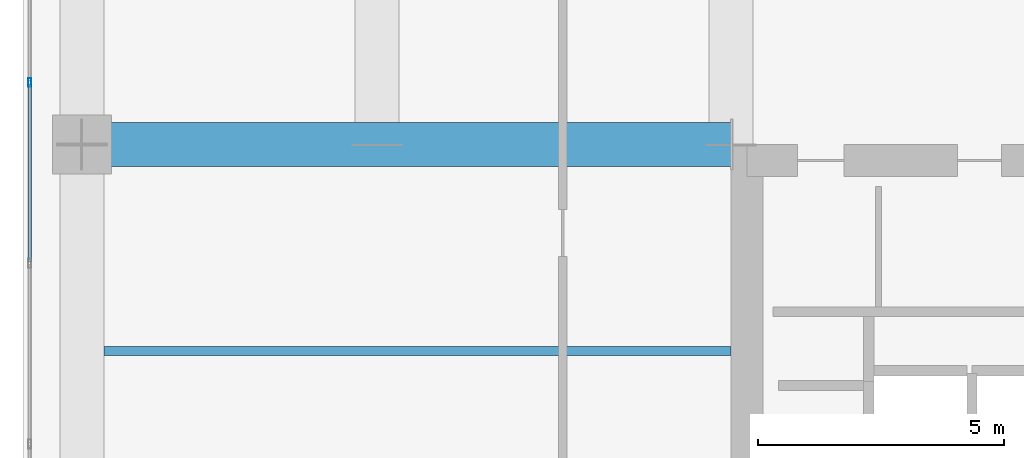
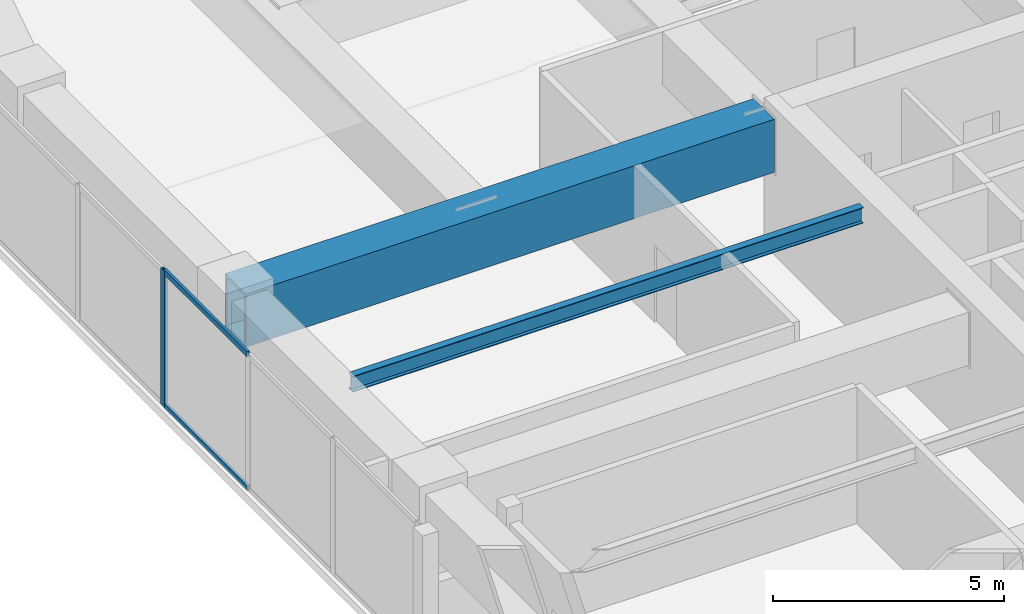
# One storey, part 6 of 30: 3 members, 2 beams, 1 element without a shape of its own.
"""IFC4 building model written with IfcOpenShell, lengths in metres."""

from ifc_helpers import new_model, si_unit, direction, frame, origin, origin_2d, place, context, subcontext, project, spatial, hollow_rectangle, i_section, extrude, material, layer, layer_set, material_profile, profile_set, type_object, element, aggregate, save


model = new_model("IFC4")

# Units and contexts
model_context = context("Model", 3, precision=1e-05, world=origin(), true_north=direction((0.0, 1.0)))
body_context = subcontext(model_context, "Body", "Model", "MODEL_VIEW")
ifc_project = project(units=[si_unit("LENGTHUNIT", "METRE"), si_unit("AREAUNIT", "SQUARE_METRE"), si_unit("VOLUMEUNIT", "CUBIC_METRE"), si_unit("PLANEANGLEUNIT", "RADIAN"), si_unit("MASSUNIT", "GRAM", prefix="KILO")], contexts=[model_context])

# Site, building, storey
site_placement = place(None, origin())
site = spatial("IfcSite", under=ifc_project, at=site_placement, CompositionType="ELEMENT")
building_placement = place(site_placement, origin())
building = spatial("IfcBuilding", under=site, at=building_placement, Name="Kiyonajd Concourse Tower", CompositionType="ELEMENT")
storey_placement = place(building_placement, frame((0.0, 0.0, 205.800048828125)))
storey = spatial("IfcBuildingStorey", under=building, at=storey_placement, Name="L52", CompositionType="ELEMENT", Elevation=205.800048828125)

# Beams
ifc_material_1 = material(Name="Steel ASTM A992 Grade 50", Category="steel")
ifc_material_profile_1 = material_profile(ifc_material_1, i_section(OverallWidth=0.180908203125, OverallDepth=0.4169921875, WebThickness=0.010986328125, FlangeThickness=0.018310546875, at=origin_2d()), Name="W410X85")
ifc_profile_set_1 = profile_set([ifc_material_profile_1], Name="Steel ASTM A992 Grade 50")
beam_type_1 = type_object("IfcBeamType", Name="BM-JST-410", PredefinedType="JOIST", material=ifc_profile_set_1)
beam_1_placement = place(storey_placement, frame((19.64990234375, 40.199951171875, 3.391357421875), z_axis=(1.0, 0.0, 0.0), x_axis=(0.0, 1.0, 0.0)))
element("IfcBeam", 1, at=beam_1_placement, inside=storey, type_object=beam_type_1, Name="L52 West Secondary Floor Joist", PredefinedType="JOIST", context=body_context, shape_type="SweptSolid", body=[
    extrude(i_section(OverallWidth=0.180908203125, OverallDepth=0.4169921875, WebThickness=0.010986328125, FlangeThickness=0.018310546875, at=origin_2d()), origin(), (0.0, 0.0, 1.0), 12.75),
])
ifc_material_2 = material(Name="Steel ASTM A572 Grade 50", Category="steel")
ifc_material_profile_2 = material_profile(ifc_material_2, hollow_rectangle(XDim=0.89990234375, YDim=1.39990234375, WallThickness=0.070068359375, at=origin_2d()), Name="BOX-1400x900x70")
ifc_profile_set_2 = profile_set([ifc_material_profile_2], Name="Steel ASTM A572 Grade 50")
beam_type_2 = type_object("IfcBeamType", Name="BM-XFER-1400", PredefinedType="BEAM", material=ifc_profile_set_2)
beam_2_placement = place(storey_placement, frame((19.199951171875, 44.39990234375, 2.89990234375), z_axis=(1.0, 0.0, 0.0), x_axis=(0.0, 1.0, 0.0)))
element("IfcBeam", 2, at=beam_2_placement, inside=storey, type_object=beam_type_2, Name="L52 West Lease Girder", PredefinedType="BEAM", context=body_context, shape_type="SweptSolid", body=[
    extrude(hollow_rectangle(XDim=0.89990234375, YDim=1.39990234375, WallThickness=0.070068359375, at=origin_2d()), origin(), (0.0, 0.0, 1.0), 13.199951171875),
])

# Curtain wall, members
ifc_material_3 = material(Name="Thermally Broken Anodised Aluminium", Category="aluminium")
ifc_layer = layer(ifc_material_3, 0.179931640625)
ifc_layer_set = layer_set([ifc_layer], Name="Thermally Broken Anodised Aluminium")
curtain_wall_type = type_object("IfcCurtainWallType", Name="CW-SYS-03", PredefinedType="NOTDEFINED", material=ifc_layer_set)
curtain_wall_placement = place(storey_placement, origin())
curtain_wall = element("IfcCurtainWall", 3, at=curtain_wall_placement, inside=storey, type_object=curtain_wall_type, Name="L52 Unitised Curtain Wall CW3", PredefinedType="NOTDEFINED")
ifc_material_profile_3 = material_profile(ifc_material_3, hollow_rectangle(XDim=0.06494140625, YDim=0.179931640625, WallThickness=0.00390625, at=origin_2d()), Name="MULL-65x180")
ifc_profile_set_3 = profile_set([ifc_material_profile_3], Name="Thermally Broken Anodised Aluminium")
member_type_1 = type_object("IfcMemberType", Name="MB-CW-MULL1", PredefinedType="MULLION", material=ifc_profile_set_3)
member_1_placement = place(storey_placement, frame((18.139892578125, 45.660888671875, 0.0), z_axis=(0.0, 0.0, 1.0), x_axis=(-1.0, 0.0, 0.0)))
member_1 = element("IfcMember", 4, at=member_1_placement, type_object=member_type_1, Name="CW3 mullion 4", PredefinedType="MULLION", context=body_context, shape_type="SweptSolid", body=[
    extrude(hollow_rectangle(XDim=0.06494140625, YDim=0.179931640625, WallThickness=0.00390625, at=origin_2d()), origin(), (0.0, 0.0, 1.0), 3.599853515625),
])
ifc_material_profile_4 = material_profile(ifc_material_3, hollow_rectangle(XDim=0.06494140625, YDim=0.139892578125, WallThickness=0.00390625, at=origin_2d()), Name="TRAN-65x140")
ifc_profile_set_4 = profile_set([ifc_material_profile_4], Name="Thermally Broken Anodised Aluminium")
member_type_2 = type_object("IfcMemberType", Name="MB-CW-TRAN1", PredefinedType="USERDEFINED", material=ifc_profile_set_4)
member_2_placement = place(storey_placement, frame((18.139892578125, 42.016357421875, 0.032470703125), z_axis=(0.0, 1.0, 0.0), x_axis=(-1.0, 0.0, 0.0)))
member_2 = element("IfcMember", 5, at=member_2_placement, type_object=member_type_2, Name="CW3 transom 3.1", ObjectType="TRANSOM", PredefinedType="USERDEFINED", context=body_context, shape_type="SweptSolid", body=[
    extrude(hollow_rectangle(XDim=0.06494140625, YDim=0.139892578125, WallThickness=0.00390625, at=origin_2d()), origin(), (0.0, 0.0, 1.0), 3.612060546875),
])
member_3_placement = place(storey_placement, frame((18.139892578125, 42.016357421875, 3.5673828125), z_axis=(0.0, 1.0, 0.0), x_axis=(-1.0, 0.0, 0.0)))
member_3 = element("IfcMember", 6, at=member_3_placement, type_object=member_type_2, Name="CW3 transom 3.2", ObjectType="TRANSOM", PredefinedType="USERDEFINED", context=body_context, shape_type="SweptSolid", body=[
    extrude(hollow_rectangle(XDim=0.06494140625, YDim=0.139892578125, WallThickness=0.00390625, at=origin_2d()), origin(), (0.0, 0.0, 1.0), 3.612060546875),
])
aggregate(curtain_wall, [member_1, member_2, member_3])

save(model, "model.ifc")
